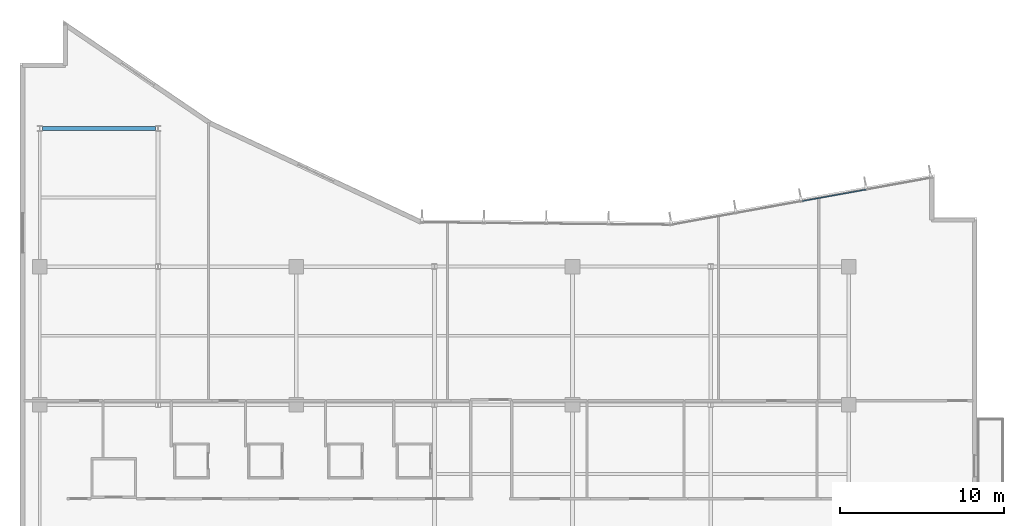
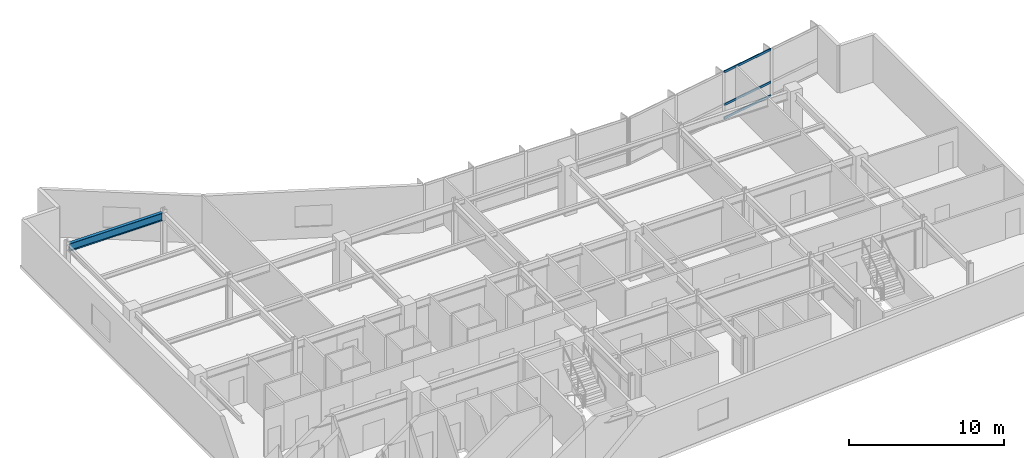
# One storey, part 7 of 18: 3 members, 1 beam, 1 element without a shape of its own.
"""IFC4 building model written with IfcOpenShell, lengths in metres."""

from ifc_helpers import new_model, si_unit, direction, frame, origin, origin_2d, place, context, subcontext, project, spatial, hollow_rectangle, i_section, extrude, material, layer, layer_set, material_profile, profile_set, type_object, element, aggregate, save


model = new_model("IFC4")

# Units and contexts
model_context = context("Model", 3, precision=1e-05, world=origin(), true_north=direction((0.0, 1.0)))
body_context = subcontext(model_context, "Body", "Model", "MODEL_VIEW")
ifc_project = project(units=[si_unit("LENGTHUNIT", "METRE"), si_unit("AREAUNIT", "SQUARE_METRE"), si_unit("VOLUMEUNIT", "CUBIC_METRE"), si_unit("PLANEANGLEUNIT", "RADIAN"), si_unit("MASSUNIT", "GRAM", prefix="KILO")], contexts=[model_context])

# Site, building, storey
site_placement = place(None, origin())
site = spatial("IfcSite", under=ifc_project, at=site_placement, CompositionType="ELEMENT")
building_placement = place(site_placement, origin())
building = spatial("IfcBuilding", under=site, at=building_placement, Name="Varnakote Quay Hospital", CompositionType="ELEMENT")
storey_placement = place(building_placement, frame((0.0, 0.0, 69.89990234375)))
storey = spatial("IfcBuildingStorey", under=building, at=storey_placement, Name="L17", CompositionType="ELEMENT", Elevation=69.89990234375)

# Beam
ifc_material_1 = material(Name="Structural steel AS/NZS 3679.1 Grade 350 L0 (fy 340 MPa)", Category="steel")
ifc_material_profile_1 = material_profile(ifc_material_1, i_section(OverallWidth=0.22900390625, OverallDepth=0.612060546875, WebThickness=0.011962890625, FlangeThickness=0.01953125, FilletRadius=0.013916015625, at=origin_2d()), Name="610UB125")
ifc_profile_set_1 = profile_set([ifc_material_profile_1], Name="Structural steel AS/NZS 3679.1 Grade 350 L0 (fy 340 MPa)")
beam_type = type_object("IfcBeamType", Name="BM-STL-610UB125", PredefinedType="BEAM", material=ifc_profile_set_1)
beam_placement = place(storey_placement, frame((1.35546875, 37.199951171875, 3.404052734375), z_axis=(1.0, 0.0, 0.0), x_axis=(0.0, 1.0, 0.0)))
element("IfcBeam", 1, at=beam_placement, inside=storey, type_object=beam_type, Name="L17 Primary Floor Beam", PredefinedType="BEAM", context=body_context, shape_type="SweptSolid", body=[
    extrude(i_section(OverallWidth=0.22900390625, OverallDepth=0.612060546875, WebThickness=0.011962890625, FlangeThickness=0.01953125, FilletRadius=0.013916015625, at=origin_2d()), origin(), (0.0, 0.0, 1.0), 6.888916015625),
])

# Curtain wall, members
ifc_material_2 = material(Name="Anodised aluminium 6063-T6 Bronze", Category="aluminium")
ifc_layer = layer(ifc_material_2, 0.18994140625)
ifc_layer_set = layer_set([ifc_layer], Name="Anodised aluminium 6063-T6 Bronze")
curtain_wall_type = type_object("IfcCurtainWallType", Name="CW-SYS-2", PredefinedType="NOTDEFINED", material=ifc_layer_set)
curtain_wall_placement = place(storey_placement, origin())
curtain_wall = element("IfcCurtainWall", 2, at=curtain_wall_placement, inside=storey, type_object=curtain_wall_type, Name="L17 Unitised Bronze Curtain Wall 1", PredefinedType="NOTDEFINED")
ifc_material_3 = material(Name="Anodised aluminium 6063-T6 Bronze", Category="aluminium")
ifc_material_profile_2 = material_profile(ifc_material_3, hollow_rectangle(XDim=0.074951171875, YDim=0.179931640625, WallThickness=0.004150390625, InnerFilletRadius=0.004150390625, OuterFilletRadius=0.00830078125, at=origin_2d()), Name="CW-TRAN-180x75")
ifc_profile_set_2 = profile_set([ifc_material_profile_2], Name="Anodised aluminium 6063-T6 Bronze")
member_type = type_object("IfcMemberType", Name="CW-TRAN-180x75", PredefinedType="USERDEFINED", material=ifc_profile_set_2)
member_1_placement = place(storey_placement, frame((51.4404296875, 33.485595703125, 0.03759765625), z_axis=(-0.984065046829, -0.177808840079, 0.0), x_axis=(0.177808840079, -0.984065046829, 0.0)))
member_1 = element("IfcMember", 3, at=member_1_placement, type_object=member_type, Name="-2-L17-1 transom 2.1", ObjectType="TRANSOM", PredefinedType="USERDEFINED", context=body_context, shape_type="SweptSolid", body=[
    extrude(hollow_rectangle(XDim=0.074951171875, YDim=0.179931640625, WallThickness=0.004150390625, InnerFilletRadius=0.004150390625, OuterFilletRadius=0.00830078125, at=origin_2d()), origin(), (0.0, 0.0, 1.0), 3.95166015625),
])
member_2_placement = place(storey_placement, frame((51.4404296875, 33.485595703125, 1.10009765625), z_axis=(-0.984065046829, -0.177808840079, 0.0), x_axis=(0.177808840079, -0.984065046829, 0.0)))
member_2 = element("IfcMember", 4, at=member_2_placement, type_object=member_type, Name="-2-L17-1 transom 2.2", ObjectType="TRANSOM", PredefinedType="USERDEFINED", context=body_context, shape_type="SweptSolid", body=[
    extrude(hollow_rectangle(XDim=0.074951171875, YDim=0.179931640625, WallThickness=0.004150390625, InnerFilletRadius=0.004150390625, OuterFilletRadius=0.00830078125, at=origin_2d()), origin(), (0.0, 0.0, 1.0), 3.95166015625),
])
member_3_placement = place(storey_placement, frame((51.4404296875, 33.485595703125, 3.672607421875), z_axis=(-0.984065046829, -0.177808840079, 0.0), x_axis=(0.177808840079, -0.984065046829, 0.0)))
member_3 = element("IfcMember", 5, at=member_3_placement, type_object=member_type, Name="-2-L17-1 transom 2.3", ObjectType="TRANSOM", PredefinedType="USERDEFINED", context=body_context, shape_type="SweptSolid", body=[
    extrude(hollow_rectangle(XDim=0.074951171875, YDim=0.179931640625, WallThickness=0.004150390625, InnerFilletRadius=0.004150390625, OuterFilletRadius=0.00830078125, at=origin_2d()), origin(), (0.0, 0.0, 1.0), 3.95166015625),
])
aggregate(curtain_wall, [member_1, member_2, member_3])

save(model, "model.ifc")
